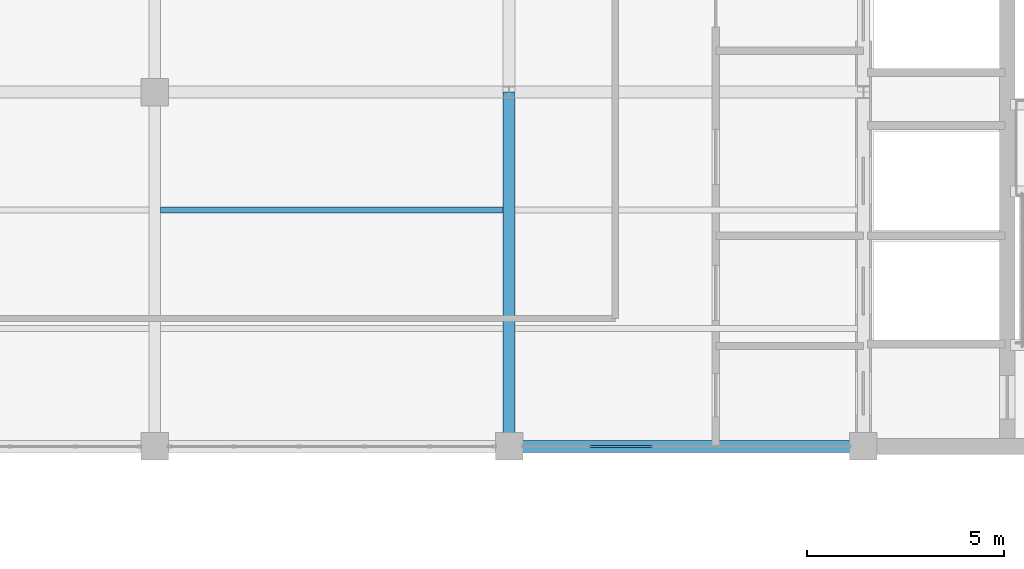
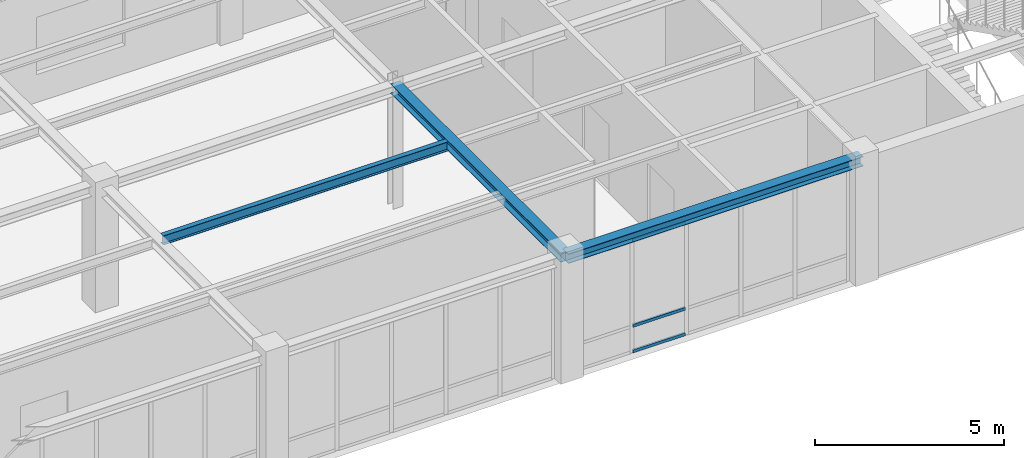
# One storey, part 70 of 108: 3 beams, 3 members, 1 element without a shape of its own.
"""IFC4 building model written with IfcOpenShell, lengths in metres."""

from ifc_helpers import new_model, si_unit, direction, frame, origin, origin_2d, place, context, subcontext, project, spatial, hollow_rectangle, i_section, extrude, material, material_profile, profile_set, type_object, element, aggregate, save


model = new_model("IFC4")

# Units and contexts
model_context = context("Model", 3, precision=1e-05, world=origin(), true_north=direction((0.0, 1.0)))
body_context = subcontext(model_context, "Body", "Model", "MODEL_VIEW")
ifc_project = project(units=[si_unit("LENGTHUNIT", "METRE"), si_unit("AREAUNIT", "SQUARE_METRE"), si_unit("VOLUMEUNIT", "CUBIC_METRE"), si_unit("PLANEANGLEUNIT", "RADIAN"), si_unit("MASSUNIT", "GRAM", prefix="KILO")], contexts=[model_context])

# Site, building, storey
site_placement = place(None, origin())
site = spatial("IfcSite", under=ifc_project, at=site_placement, CompositionType="ELEMENT")
building_placement = place(site_placement, origin())
building = spatial("IfcBuilding", under=site, at=building_placement, Name="Lykobir Media Centre", CompositionType="ELEMENT")
storey_placement = place(building_placement, frame((0.0, 0.0, 15.0)))
storey = spatial("IfcBuildingStorey", under=building, at=storey_placement, Name="L03", CompositionType="ELEMENT", Elevation=15.0)

# Beam
ifc_material_1 = material(Name="Steel S355", Category="steel")
ifc_material_profile_1 = material_profile(ifc_material_1, i_section(OverallWidth=0.300048828125, OverallDepth=0.31005859375, WebThickness=0.009033203125, FlangeThickness=0.015380859375, at=origin_2d()), Name="HEA 320")
ifc_profile_set_1 = profile_set([ifc_material_profile_1], Name="Steel S355")
beam_type_1 = type_object("IfcBeamType", Name="BM-HEA320", PredefinedType="BEAM", material=ifc_profile_set_1)
beam_1_placement = place(storey_placement, frame((117.0, 72.0, 3.804931640625), z_axis=(0.0, 1.0, 0.0), x_axis=(-1.0, 0.0, 0.0)))
element("IfcBeam", 1, at=beam_1_placement, inside=storey, type_object=beam_type_1, Name="Beam BM-L03-1170-0720-1170-0810-1880", PredefinedType="BEAM", context=body_context, shape_type="SweptSolid", body=[
    extrude(i_section(OverallWidth=0.300048828125, OverallDepth=0.31005859375, WebThickness=0.009033203125, FlangeThickness=0.015380859375, at=origin_2d()), origin(), (0.0, 0.0, 1.0), 9.0),
])

# Curtain wall, members
ifc_material_2 = material(Name="Anodized Aluminium AW-6060", Category="aluminium")
curtain_wall_type = type_object("IfcCurtainWallType", Name="CW-COURT-B", PredefinedType="NOTDEFINED", material=ifc_material_2)
curtain_wall_placement = place(storey_placement, origin())
curtain_wall = element("IfcCurtainWall", 2, at=curtain_wall_placement, inside=storey, type_object=curtain_wall_type, Name="Curtain wall CW2-L03-0148", PredefinedType="NOTDEFINED")
ifc_material_profile_2 = material_profile(ifc_material_2, hollow_rectangle(XDim=0.054931640625, YDim=0.094970703125, WallThickness=0.0029296875, at=origin_2d()), Name="ALU TRANSOM 55x95")
ifc_profile_set_2 = profile_set([ifc_material_profile_2], Name="Anodized Aluminium AW-6060")
member_type = type_object("IfcMemberType", Name="CWT-095", PredefinedType="USERDEFINED", material=ifc_profile_set_2)
member_1_placement = place(storey_placement, frame((120.6435546875, 72.0, 0.027587890625), z_axis=(-1.0, 0.0, 0.0), x_axis=(0.0, -1.0, 0.0)))
member_1 = element("IfcMember", 3, at=member_1_placement, type_object=member_type, Name="CW2-L03-0148 transom 4.1", ObjectType="TRANSOM", PredefinedType="USERDEFINED", context=body_context, shape_type="SweptSolid", body=[
    extrude(hollow_rectangle(XDim=0.054931640625, YDim=0.094970703125, WallThickness=0.0029296875, at=origin_2d()), origin(), (0.0, 0.0, 1.0), 1.60302734375),
])
member_2_placement = place(storey_placement, frame((120.6435546875, 72.0, 0.85009765625), z_axis=(-1.0, 0.0, 0.0), x_axis=(0.0, -1.0, 0.0)))
member_2 = element("IfcMember", 4, at=member_2_placement, type_object=member_type, Name="CW2-L03-0148 transom 4.2", ObjectType="TRANSOM", PredefinedType="USERDEFINED", context=body_context, shape_type="SweptSolid", body=[
    extrude(hollow_rectangle(XDim=0.054931640625, YDim=0.094970703125, WallThickness=0.0029296875, at=origin_2d()), origin(), (0.0, 0.0, 1.0), 1.60302734375),
])
member_3_placement = place(storey_placement, frame((120.6435546875, 72.0, 3.607421875), z_axis=(-1.0, 0.0, 0.0), x_axis=(0.0, -1.0, 0.0)))
member_3 = element("IfcMember", 5, at=member_3_placement, type_object=member_type, Name="CW2-L03-0148 transom 4.3", ObjectType="TRANSOM", PredefinedType="USERDEFINED", context=body_context, shape_type="SweptSolid", body=[
    extrude(hollow_rectangle(XDim=0.054931640625, YDim=0.094970703125, WallThickness=0.0029296875, at=origin_2d()), origin(), (0.0, 0.0, 1.0), 1.60302734375),
])
aggregate(curtain_wall, [member_1, member_2, member_3])

# Beams
ifc_material_profile_3 = material_profile(ifc_material_1, i_section(OverallWidth=0.14990234375, OverallDepth=0.300048828125, WebThickness=0.007080078125, FlangeThickness=0.0107421875, at=origin_2d()), Name="IPE 300")
ifc_profile_set_3 = profile_set([ifc_material_profile_3], Name="Steel S355")
beam_type_2 = type_object("IfcBeamType", Name="JS-IPE300", PredefinedType="JOIST", material=ifc_profile_set_3)
beam_2_placement = place(storey_placement, frame((108.14990234375, 78.0, 3.81005859375), z_axis=(1.0, 0.0, 0.0), x_axis=(0.0, 1.0, 0.0)))
element("IfcBeam", 6, at=beam_2_placement, inside=storey, type_object=beam_type_2, Name="Beam BM-L03-1082-0780-1168-0780-1881", PredefinedType="JOIST", context=body_context, shape_type="SweptSolid", body=[
    extrude(i_section(OverallWidth=0.14990234375, OverallDepth=0.300048828125, WebThickness=0.007080078125, FlangeThickness=0.0107421875, at=origin_2d()), origin(), (0.0, 0.0, 1.0), 8.7001953125),
])
ifc_material_profile_4 = material_profile(ifc_material_1, i_section(OverallWidth=0.300048828125, OverallDepth=0.31005859375, WebThickness=0.009033203125, FlangeThickness=0.015380859375, at=origin_2d()), Name="HEA 320")
ifc_profile_set_4 = profile_set([ifc_material_profile_4], Name="Steel S355")
beam_type_3 = type_object("IfcBeamType", Name="SP-HEA320", PredefinedType="SPANDREL", material=ifc_profile_set_4)
beam_3_placement = place(storey_placement, frame((117.0, 72.0, 3.804931640625), z_axis=(1.0, 0.0, 0.0), x_axis=(0.0, 1.0, 0.0)))
element("IfcBeam", 7, at=beam_3_placement, inside=storey, type_object=beam_type_3, Name="Beam BM-L03-1170-0720-1260-0720-1880", PredefinedType="SPANDREL", context=body_context, shape_type="SweptSolid", body=[
    extrude(i_section(OverallWidth=0.300048828125, OverallDepth=0.31005859375, WebThickness=0.009033203125, FlangeThickness=0.015380859375, at=origin_2d()), origin(), (0.0, 0.0, 1.0), 9.0),
])

save(model, "model.ifc")
